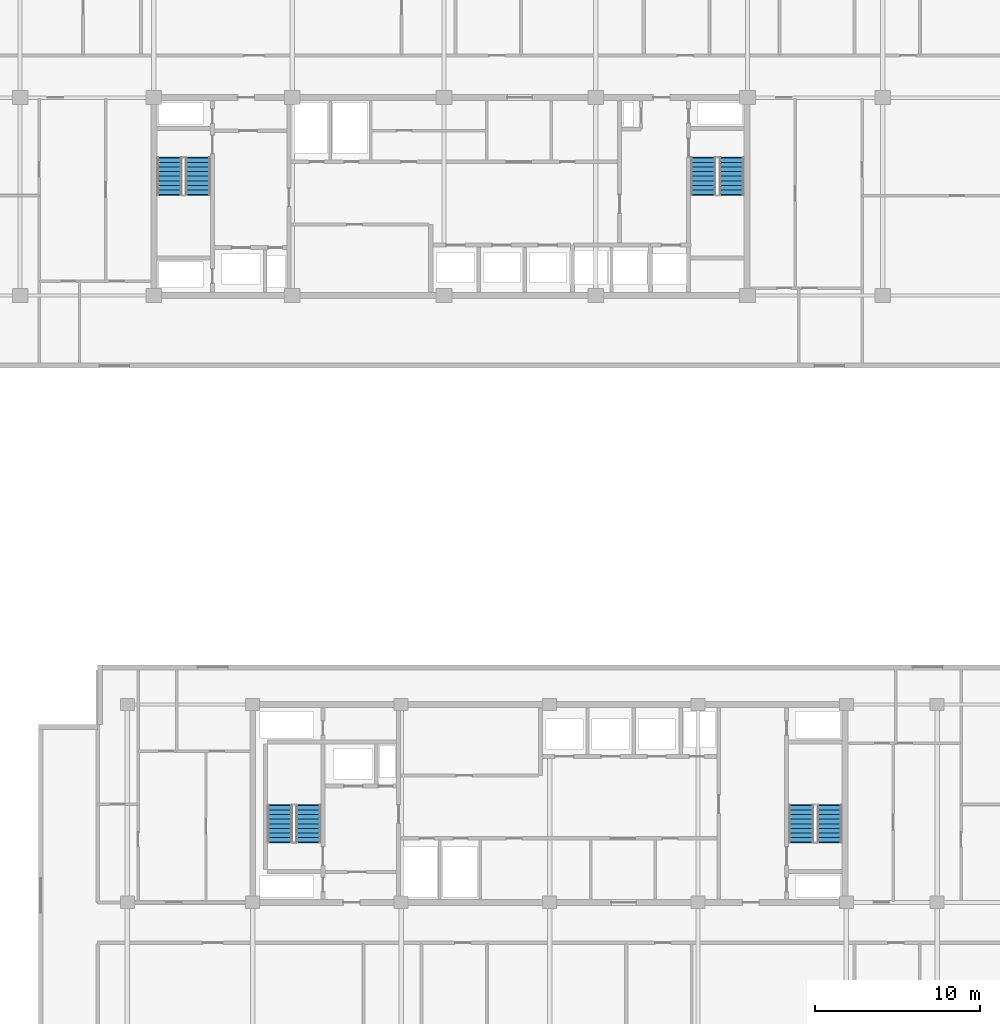
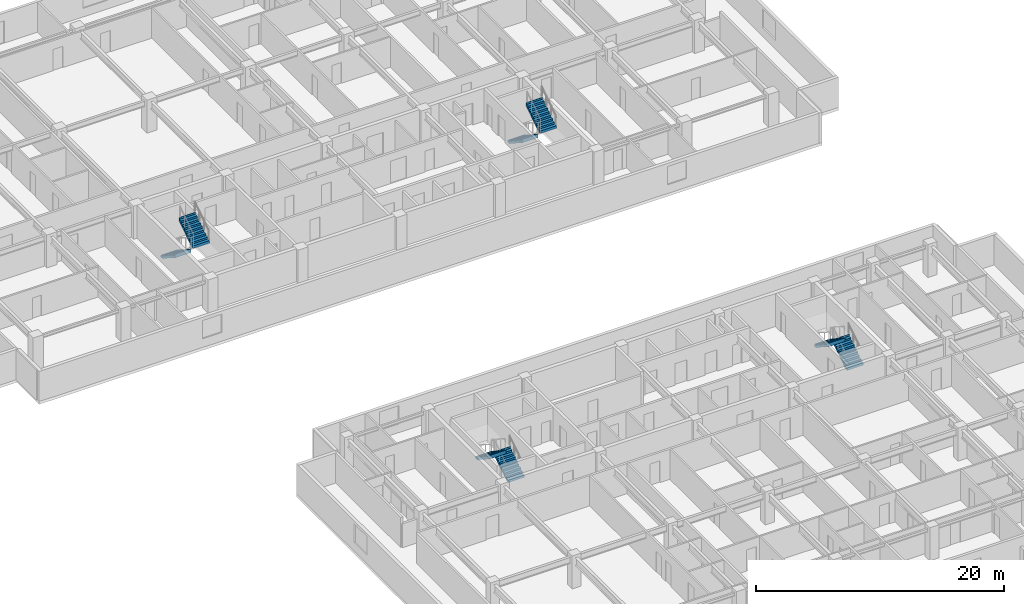
# One storey, part 16 of 21: 8 stair flights, 4 elements without a shape of their own.
"""IFC4 building model written with IfcOpenShell, lengths in metres."""

from ifc_helpers import new_model, si_unit, direction, frame, origin, place, context, subcontext, project, spatial, polyline, outline, extrude, material, type_object, element, aggregate, save


model = new_model("IFC4")

# Units and contexts
model_context = context("Model", 3, precision=1e-05, world=origin(), true_north=direction((0.0, 1.0)))
body_context = subcontext(model_context, "Body", "Model", "MODEL_VIEW")
ifc_project = project(units=[si_unit("LENGTHUNIT", "METRE"), si_unit("AREAUNIT", "SQUARE_METRE"), si_unit("VOLUMEUNIT", "CUBIC_METRE"), si_unit("PLANEANGLEUNIT", "RADIAN"), si_unit("MASSUNIT", "GRAM", prefix="KILO")], contexts=[model_context])

# Site, building, storey
site_placement = place(None, origin())
site = spatial("IfcSite", under=ifc_project, at=site_placement, CompositionType="ELEMENT")
building_placement = place(site_placement, origin())
building = spatial("IfcBuilding", under=site, at=building_placement, Name="Korimba Cascade Residences", CompositionType="ELEMENT")
storey_placement = place(building_placement, frame((0.0, 0.0, 113.300048828125)))
storey = spatial("IfcBuildingStorey", under=building, at=storey_placement, Name="L32", CompositionType="ELEMENT", Elevation=113.300048828125)

# Stair, stair flights
ifc_material = material(Name="Concrete C50/60", Category="concrete")
stair_type_1 = type_object("IfcStairType", Name="STR-W1-18R-1806", PredefinedType="HALF_TURN_STAIR", material=ifc_material)
stair_1_placement = place(storey_placement, origin())
stair_1 = element("IfcStair", 1, at=stair_1_placement, inside=storey, type_object=stair_type_1, Name="L32 Tower 1 West Fire Stair ST-W1", PredefinedType="HALF_TURN_STAIR")
stair_flight_type = type_object("IfcStairFlightType", Name="STF-DL-18R-1806-1520", PredefinedType="STRAIGHT", material=ifc_material)
stair_flight_1_placement = place(storey_placement, frame((77.06005859375, 63.550048828125, 0.0), z_axis=(0.0, 0.0, 1.0), x_axis=(0.0, -1.0, 0.0)))
stair_flight_1 = element("IfcStairFlight", 2, at=stair_flight_1_placement, type_object=stair_flight_type, Name="ST-W1 flight 1", NumberOfRisers=9, NumberOfTreads=8, PredefinedType="STRAIGHT", RiserHeight=0.180555556, TreadLength=0.28, context=body_context, shape_type="SweptSolid", body=[
    extrude(outline(polyline([(-0.0380859375, 0.0), (0.0, 0.1806640625), (0.280029296875, 0.1806640625), (0.280029296875, 0.361083984375), (0.56005859375, 0.361083984375), (0.56005859375, 0.541748046875), (0.840087890625, 0.541748046875), (0.840087890625, 0.72216796875), (1.1201171875, 0.72216796875), (1.1201171875, 0.90283203125), (1.39990234375, 0.90283203125), (1.39990234375, 1.083251953125), (1.679931640625, 1.083251953125), (1.679931640625, 1.263916015625), (1.9599609375, 1.263916015625), (1.9599609375, 1.4443359375), (2.239990234375, 1.4443359375), (2.239990234375, 1.625), (2.278076171875, 1.625), (2.278076171875, 1.26611328125), (0.276611328125, 0.0), (0.276611328125, -0.0380859375), (-0.0380859375, -0.0380859375), (-0.0380859375, 0.0)])), frame((0.0, 0.760009765625, 0.0), z_axis=(0.0, -1.0, 0.0), x_axis=(1.0, 0.0, 0.0)), (0.0, 0.0, 1.0), 1.52001953125),
])
stair_flight_2_placement = place(storey_placement, frame((78.780029296875, 61.31005859375, 1.625), z_axis=(0.0, 0.0, 1.0), x_axis=(0.0, 1.0, 0.0)))
stair_flight_2 = element("IfcStairFlight", 3, at=stair_flight_2_placement, type_object=stair_flight_type, Name="ST-W1 flight 2", NumberOfRisers=9, NumberOfTreads=8, PredefinedType="STRAIGHT", RiserHeight=0.180555556, TreadLength=0.28, context=body_context, shape_type="SweptSolid", body=[
    extrude(outline(polyline([(-0.0380859375, 0.0), (0.0, 0.1806640625), (0.280029296875, 0.1806640625), (0.280029296875, 0.361083984375), (0.56005859375, 0.361083984375), (0.56005859375, 0.541748046875), (0.840087890625, 0.541748046875), (0.840087890625, 0.72216796875), (1.1201171875, 0.72216796875), (1.1201171875, 0.90283203125), (1.39990234375, 0.90283203125), (1.39990234375, 1.083251953125), (1.679931640625, 1.083251953125), (1.679931640625, 1.263916015625), (1.9599609375, 1.263916015625), (1.9599609375, 1.4443359375), (2.239990234375, 1.4443359375), (2.239990234375, 1.625), (2.278076171875, 1.625), (2.278076171875, 1.26611328125), (0.276611328125, 0.0), (0.276611328125, -0.0380859375), (-0.0380859375, -0.0380859375), (-0.0380859375, 0.0)])), frame((0.0, 0.760009765625, 0.0), z_axis=(0.0, -1.0, 0.0), x_axis=(1.0, 0.0, 0.0)), (0.0, 0.0, 1.0), 1.52001953125),
])
aggregate(stair_1, [stair_flight_1, stair_flight_2])

stair_type_2 = type_object("IfcStairType", Name="STR-W2-18R-1806", PredefinedType="HALF_TURN_STAIR", material=ifc_material)
stair_2_placement = place(storey_placement, origin())
stair_2 = element("IfcStair", 4, at=stair_2_placement, inside=storey, type_object=stair_type_2, Name="L32 Tower 1 East Fire Stair ST-W2", PredefinedType="HALF_TURN_STAIR")
stair_flight_3_placement = place(storey_placement, frame((109.419921875, 63.550048828125, 0.0), z_axis=(0.0, 0.0, 1.0), x_axis=(0.0, -1.0, 0.0)))
stair_flight_3 = element("IfcStairFlight", 5, at=stair_flight_3_placement, type_object=stair_flight_type, Name="ST-W2 flight 1", NumberOfRisers=9, NumberOfTreads=8, PredefinedType="STRAIGHT", RiserHeight=0.180555556, TreadLength=0.28, context=body_context, shape_type="SweptSolid", body=[
    extrude(outline(polyline([(-0.0380859375, 0.0), (0.0, 0.1806640625), (0.280029296875, 0.1806640625), (0.280029296875, 0.361083984375), (0.56005859375, 0.361083984375), (0.56005859375, 0.541748046875), (0.840087890625, 0.541748046875), (0.840087890625, 0.72216796875), (1.1201171875, 0.72216796875), (1.1201171875, 0.90283203125), (1.39990234375, 0.90283203125), (1.39990234375, 1.083251953125), (1.679931640625, 1.083251953125), (1.679931640625, 1.263916015625), (1.9599609375, 1.263916015625), (1.9599609375, 1.4443359375), (2.239990234375, 1.4443359375), (2.239990234375, 1.625), (2.278076171875, 1.625), (2.278076171875, 1.26611328125), (0.276611328125, 0.0), (0.276611328125, -0.0380859375), (-0.0380859375, -0.0380859375), (-0.0380859375, 0.0)])), frame((0.0, 0.760009765625, 0.0), z_axis=(0.0, -1.0, 0.0), x_axis=(1.0, 0.0, 0.0)), (0.0, 0.0, 1.0), 1.52001953125),
])
stair_flight_4_placement = place(storey_placement, frame((111.139892578125, 61.31005859375, 1.625), z_axis=(0.0, 0.0, 1.0), x_axis=(0.0, 1.0, 0.0)))
stair_flight_4 = element("IfcStairFlight", 6, at=stair_flight_4_placement, type_object=stair_flight_type, Name="ST-W2 flight 2", NumberOfRisers=9, NumberOfTreads=8, PredefinedType="STRAIGHT", RiserHeight=0.180555556, TreadLength=0.28, context=body_context, shape_type="SweptSolid", body=[
    extrude(outline(polyline([(-0.0380859375, 0.0), (0.0, 0.1806640625), (0.280029296875, 0.1806640625), (0.280029296875, 0.361083984375), (0.56005859375, 0.361083984375), (0.56005859375, 0.541748046875), (0.840087890625, 0.541748046875), (0.840087890625, 0.72216796875), (1.1201171875, 0.72216796875), (1.1201171875, 0.90283203125), (1.39990234375, 0.90283203125), (1.39990234375, 1.083251953125), (1.679931640625, 1.083251953125), (1.679931640625, 1.263916015625), (1.9599609375, 1.263916015625), (1.9599609375, 1.4443359375), (2.239990234375, 1.4443359375), (2.239990234375, 1.625), (2.278076171875, 1.625), (2.278076171875, 1.26611328125), (0.276611328125, 0.0), (0.276611328125, -0.0380859375), (-0.0380859375, -0.0380859375), (-0.0380859375, 0.0)])), frame((0.0, 0.760009765625, 0.0), z_axis=(0.0, -1.0, 0.0), x_axis=(1.0, 0.0, 0.0)), (0.0, 0.0, 1.0), 1.52001953125),
])
aggregate(stair_2, [stair_flight_3, stair_flight_4])

stair_type_3 = type_object("IfcStairType", Name="STR-E1-18R-1806", PredefinedType="HALF_TURN_STAIR", material=ifc_material)
stair_3_placement = place(storey_placement, origin())
stair_3 = element("IfcStair", 7, at=stair_3_placement, inside=storey, type_object=stair_type_3, Name="L32 Tower 2 West Fire Stair ST-E1", PredefinedType="HALF_TURN_STAIR")
stair_flight_5_placement = place(storey_placement, frame((85.47998046875, 22.050048828125, 0.0), z_axis=(0.0, 0.0, 1.0), x_axis=(0.0, 1.0, 0.0)))
stair_flight_5 = element("IfcStairFlight", 8, at=stair_flight_5_placement, type_object=stair_flight_type, Name="ST-E1 flight 1", NumberOfRisers=9, NumberOfTreads=8, PredefinedType="STRAIGHT", RiserHeight=0.180555556, TreadLength=0.28, context=body_context, shape_type="SweptSolid", body=[
    extrude(outline(polyline([(-0.0380859375, 0.0), (0.0, 0.1806640625), (0.280029296875, 0.1806640625), (0.280029296875, 0.361083984375), (0.56005859375, 0.361083984375), (0.56005859375, 0.541748046875), (0.840087890625, 0.541748046875), (0.840087890625, 0.72216796875), (1.1201171875, 0.72216796875), (1.1201171875, 0.90283203125), (1.39990234375, 0.90283203125), (1.39990234375, 1.083251953125), (1.679931640625, 1.083251953125), (1.679931640625, 1.263916015625), (1.9599609375, 1.263916015625), (1.9599609375, 1.4443359375), (2.239990234375, 1.4443359375), (2.239990234375, 1.625), (2.278076171875, 1.625), (2.278076171875, 1.26611328125), (0.276611328125, 0.0), (0.276611328125, -0.0380859375), (-0.0380859375, -0.0380859375), (-0.0380859375, 0.0)])), frame((0.0, 0.760009765625, 0.0), z_axis=(0.0, -1.0, 0.0), x_axis=(1.0, 0.0, 0.0)), (0.0, 0.0, 1.0), 1.52001953125),
])
stair_flight_6_placement = place(storey_placement, frame((83.760009765625, 24.2900390625, 1.625), z_axis=(0.0, 0.0, 1.0), x_axis=(0.0, -1.0, 0.0)))
stair_flight_6 = element("IfcStairFlight", 9, at=stair_flight_6_placement, type_object=stair_flight_type, Name="ST-E1 flight 2", NumberOfRisers=9, NumberOfTreads=8, PredefinedType="STRAIGHT", RiserHeight=0.180555556, TreadLength=0.28, context=body_context, shape_type="SweptSolid", body=[
    extrude(outline(polyline([(-0.0380859375, 0.0), (0.0, 0.1806640625), (0.280029296875, 0.1806640625), (0.280029296875, 0.361083984375), (0.56005859375, 0.361083984375), (0.56005859375, 0.541748046875), (0.840087890625, 0.541748046875), (0.840087890625, 0.72216796875), (1.1201171875, 0.72216796875), (1.1201171875, 0.90283203125), (1.39990234375, 0.90283203125), (1.39990234375, 1.083251953125), (1.679931640625, 1.083251953125), (1.679931640625, 1.263916015625), (1.9599609375, 1.263916015625), (1.9599609375, 1.4443359375), (2.239990234375, 1.4443359375), (2.239990234375, 1.625), (2.278076171875, 1.625), (2.278076171875, 1.26611328125), (0.276611328125, 0.0), (0.276611328125, -0.0380859375), (-0.0380859375, -0.0380859375), (-0.0380859375, 0.0)])), frame((0.0, 0.760009765625, 0.0), z_axis=(0.0, -1.0, 0.0), x_axis=(1.0, 0.0, 0.0)), (0.0, 0.0, 1.0), 1.52001953125),
])
aggregate(stair_3, [stair_flight_5, stair_flight_6])

stair_type_4 = type_object("IfcStairType", Name="STR-E2-18R-1806", PredefinedType="HALF_TURN_STAIR", material=ifc_material)
stair_4_placement = place(storey_placement, origin())
stair_4 = element("IfcStair", 10, at=stair_4_placement, inside=storey, type_object=stair_type_4, Name="L32 Tower 2 East Fire Stair ST-E2", PredefinedType="HALF_TURN_STAIR")
stair_flight_7_placement = place(storey_placement, frame((117.080078125, 22.050048828125, 0.0), z_axis=(0.0, 0.0, 1.0), x_axis=(0.0, 1.0, 0.0)))
stair_flight_7 = element("IfcStairFlight", 11, at=stair_flight_7_placement, type_object=stair_flight_type, Name="ST-E2 flight 1", NumberOfRisers=9, NumberOfTreads=8, PredefinedType="STRAIGHT", RiserHeight=0.180555556, TreadLength=0.28, context=body_context, shape_type="SweptSolid", body=[
    extrude(outline(polyline([(-0.0380859375, 0.0), (0.0, 0.1806640625), (0.280029296875, 0.1806640625), (0.280029296875, 0.361083984375), (0.56005859375, 0.361083984375), (0.56005859375, 0.541748046875), (0.840087890625, 0.541748046875), (0.840087890625, 0.72216796875), (1.1201171875, 0.72216796875), (1.1201171875, 0.90283203125), (1.39990234375, 0.90283203125), (1.39990234375, 1.083251953125), (1.679931640625, 1.083251953125), (1.679931640625, 1.263916015625), (1.9599609375, 1.263916015625), (1.9599609375, 1.4443359375), (2.239990234375, 1.4443359375), (2.239990234375, 1.625), (2.278076171875, 1.625), (2.278076171875, 1.26611328125), (0.276611328125, 0.0), (0.276611328125, -0.0380859375), (-0.0380859375, -0.0380859375), (-0.0380859375, 0.0)])), frame((0.0, 0.760009765625, 0.0), z_axis=(0.0, -1.0, 0.0), x_axis=(1.0, 0.0, 0.0)), (0.0, 0.0, 1.0), 1.52001953125),
])
stair_flight_8_placement = place(storey_placement, frame((115.360107421875, 24.2900390625, 1.625), z_axis=(0.0, 0.0, 1.0), x_axis=(0.0, -1.0, 0.0)))
stair_flight_8 = element("IfcStairFlight", 12, at=stair_flight_8_placement, type_object=stair_flight_type, Name="ST-E2 flight 2", NumberOfRisers=9, NumberOfTreads=8, PredefinedType="STRAIGHT", RiserHeight=0.180555556, TreadLength=0.28, context=body_context, shape_type="SweptSolid", body=[
    extrude(outline(polyline([(-0.0380859375, 0.0), (0.0, 0.1806640625), (0.280029296875, 0.1806640625), (0.280029296875, 0.361083984375), (0.56005859375, 0.361083984375), (0.56005859375, 0.541748046875), (0.840087890625, 0.541748046875), (0.840087890625, 0.72216796875), (1.1201171875, 0.72216796875), (1.1201171875, 0.90283203125), (1.39990234375, 0.90283203125), (1.39990234375, 1.083251953125), (1.679931640625, 1.083251953125), (1.679931640625, 1.263916015625), (1.9599609375, 1.263916015625), (1.9599609375, 1.4443359375), (2.239990234375, 1.4443359375), (2.239990234375, 1.625), (2.278076171875, 1.625), (2.278076171875, 1.26611328125), (0.276611328125, 0.0), (0.276611328125, -0.0380859375), (-0.0380859375, -0.0380859375), (-0.0380859375, 0.0)])), frame((0.0, 0.760009765625, 0.0), z_axis=(0.0, -1.0, 0.0), x_axis=(1.0, 0.0, 0.0)), (0.0, 0.0, 1.0), 1.52001953125),
])
aggregate(stair_4, [stair_flight_7, stair_flight_8])

save(model, "model.ifc")
